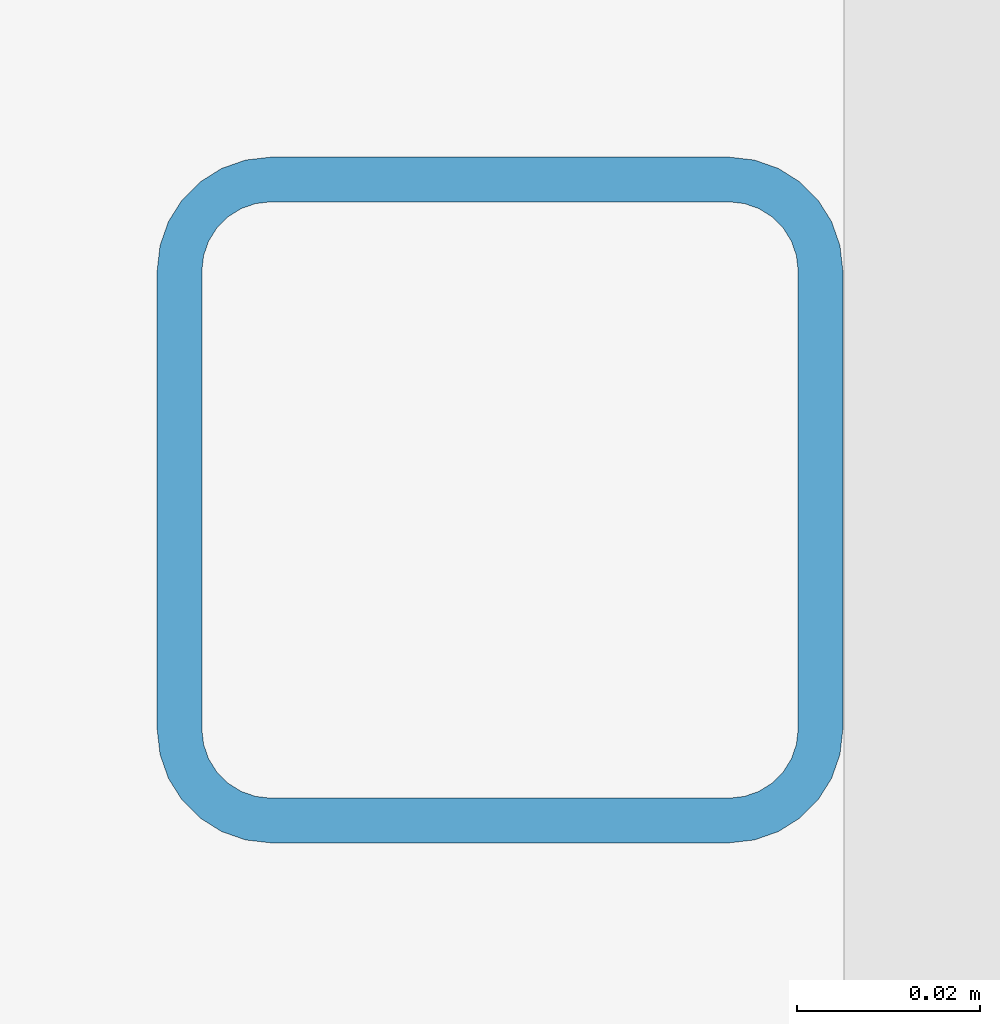
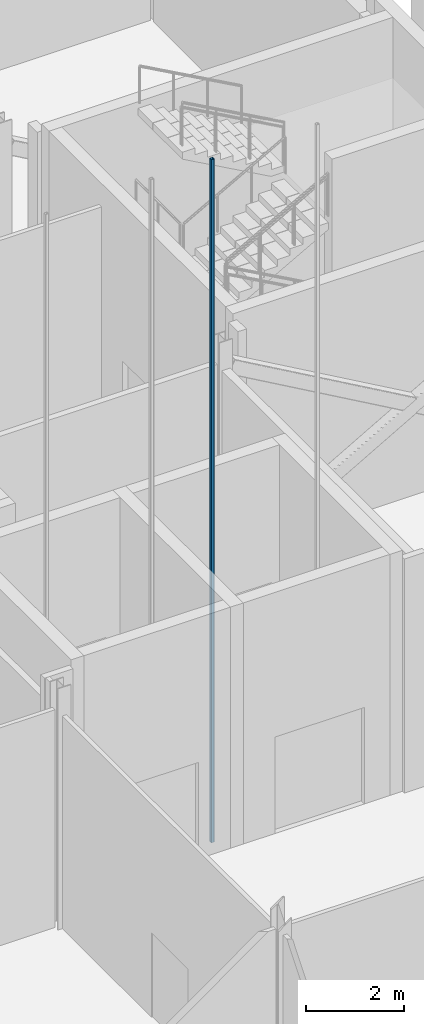
# One storey, part 44 of 139: 1 member.
"""IFC4 building model written with IfcOpenShell, lengths in metres."""

import ifcopenshell
import ifcopenshell.guid

model = None  # the IFC model being written
_history = None  # IfcOwnerHistory: only IFC2X3 demands one
_inside = {}  # id of a spatial element -> (the spatial element, [elements in it])
_under = {}  # id of a project, library or spatial element -> (it, [spatial elements below it])
_declared = {}  # id of a project -> (the project, [libraries it declares])
_typed = {}  # id of a type object -> (the type object, [elements of that type])
_made_of = {}  # id of a material, layer set ... -> (it, [elements and type objects made of it])


def new_model(schema):
    """Start an empty IFC model of exactly this schema.

    Asked for "IFC4X3", IfcOpenShell would pick the latest addendum, in which some entities
    have other attributes; the version numbers below select the first issue.
    IFC2X3 requires an IfcOwnerHistory on every rooted entity: one is made here for all.
    """
    global model, _history
    if schema == "IFC4X3":
        model = ifcopenshell.file(schema_version=(4, 3, 0, 0))
    else:
        model = ifcopenshell.file(schema=schema)
    _inside.clear()
    _under.clear()
    _declared.clear()
    _typed.clear()
    _made_of.clear()
    _history = None
    if model.schema == "IFC2X3":
        org = make("IfcOrganization", Name="unknown")
        user = make(
            "IfcPersonAndOrganization",
            ThePerson=make("IfcPerson", FamilyName="unknown"),
            TheOrganization=org,
        )
        app = make(
            "IfcApplication",
            ApplicationDeveloper=org,
            Version="unknown",
            ApplicationFullName="unknown",
            ApplicationIdentifier="unknown",
        )
        _history = make(
            "IfcOwnerHistory",
            OwningUser=user,
            OwningApplication=app,
            ChangeAction="ADDED",
            CreationDate=0,
        )
    return model


def make(cls, **values):
    """One entity of the class cls with the attributes given. An attribute that is None is left unset."""
    return model.create_entity(
        cls, **{name: value for name, value in values.items() if value is not None}
    )


def rooted(cls, **values):
    """An entity with a GlobalId (a new one), such as an element, a storey or a relation."""
    return make(cls, GlobalId=ifcopenshell.guid.new(), OwnerHistory=_history, **values)


def si_unit(unit_type, name, prefix=None):
    """IfcSIUnit, for example si_unit("LENGTHUNIT", "METRE", prefix="MILLI")."""
    return make("IfcSIUnit", UnitType=unit_type, Prefix=prefix, Name=name)


def assignment(units):
    """IfcUnitAssignment: the units of a project."""
    return None if units is None else make("IfcUnitAssignment", Units=units)


def point(xyz):
    """IfcCartesianPoint."""
    return None if xyz is None else make("IfcCartesianPoint", Coordinates=xyz)


def direction(xyz):
    """IfcDirection."""
    return None if xyz is None else make("IfcDirection", DirectionRatios=xyz)


def frame(location, z_axis=None, x_axis=None):
    """IfcAxis2Placement3D, a coordinate frame: its origin and axes. An axis left out is left unset."""
    return make(
        "IfcAxis2Placement3D",
        Location=point(location),
        Axis=direction(z_axis),
        RefDirection=direction(x_axis),
    )


def frame_2d(location, x_axis=None):
    """IfcAxis2Placement2D, a coordinate frame in the plane: its origin and x axis."""
    return make(
        "IfcAxis2Placement2D", Location=point(location), RefDirection=direction(x_axis)
    )


def origin():
    """The frame at (0, 0, 0) with its axes left unset."""
    return frame((0.0, 0.0, 0.0))


def origin_2d():
    """The frame at (0, 0) in the plane with its x axis left unset."""
    return frame_2d((0.0, 0.0))


def place(relative_to, where):
    """IfcLocalPlacement: puts the frame where relative to a parent placement (None: the world)."""
    return make(
        "IfcLocalPlacement", PlacementRelTo=relative_to, RelativePlacement=where
    )


def context(
    kind, dimensions, precision=None, world=None, true_north=None, identifier=None
):
    """IfcGeometricRepresentationContext, for example the 3D "Model" context."""
    return make(
        "IfcGeometricRepresentationContext",
        ContextIdentifier=identifier,
        ContextType=kind,
        CoordinateSpaceDimension=dimensions,
        Precision=precision,
        WorldCoordinateSystem=world,
        TrueNorth=true_north,
    )


def subcontext(parent, identifier, kind, view, scale=None):
    """IfcGeometricRepresentationSubContext, for example "Body" below "Model"."""
    return make(
        "IfcGeometricRepresentationSubContext",
        ContextIdentifier=identifier,
        ContextType=kind,
        ParentContext=parent,
        TargetScale=scale,
        TargetView=view,
    )


def project(units=None, contexts=None):
    """IfcProject with its units and contexts."""
    return rooted(
        "IfcProject",
        Name="project",
        RepresentationContexts=contexts,
        UnitsInContext=assignment(units),
    )


def spatial(cls, under=None, at=None, **own):
    """A site, building, storey or space (cls), placed at a placement, below another one or the project."""
    s = rooted(cls, ObjectPlacement=at, **own)
    if under is not None:
        _under.setdefault(under.id(), (under, []))[1].append(s)
    return s


def profile(cls, at=None, kind="AREA", **sizes):
    """A parametric profile (cls). Its sizes go by their IFC names, for example OverallWidth=200.0."""
    return make(cls, ProfileType=kind, Position=at, **sizes)


def hollow_rectangle(**sizes):
    """IfcRectangleHollowProfileDef."""
    return profile("IfcRectangleHollowProfileDef", **sizes)


def extrude(swept, where, along, depth):
    """IfcExtrudedAreaSolid: the profile swept, set in the frame where, extruded along a direction by depth."""
    return make(
        "IfcExtrudedAreaSolid",
        SweptArea=swept,
        Position=where,
        ExtrudedDirection=direction(along),
        Depth=depth,
    )


def shape(context_of_items, identifier, shape_type, items):
    """IfcShapeRepresentation: the items that make up one representation, for example the "Body"."""
    return make(
        "IfcShapeRepresentation",
        ContextOfItems=context_of_items,
        RepresentationIdentifier=identifier,
        RepresentationType=shape_type,
        Items=items,
    )


def material(Name=None, Category=None):
    """IfcMaterial."""
    return make("IfcMaterial", Name=Name, Category=Category)


def material_profile(
    of_material, cross_section, Name=None, Category=None, Priority=None
):
    """IfcMaterialProfile: a cross section and its material."""
    return make(
        "IfcMaterialProfile",
        Name=Name,
        Material=of_material,
        Profile=cross_section,
        Priority=Priority,
        Category=Category,
    )


def profile_set(profiles, Name=None, composite=None):
    """IfcMaterialProfileSet."""
    return make(
        "IfcMaterialProfileSet",
        Name=Name,
        MaterialProfiles=profiles,
        CompositeProfile=composite,
    )


def made_of(thing, what):
    """Note that an element or type object is made of a material, layer set ...; save() writes the relation."""
    if what is not None:
        _made_of.setdefault(what.id(), (what, []))[1].append(thing)
    return thing


def type_object(cls, material=None, **own):
    """A type object (cls), such as IfcWallType, which elements share."""
    return made_of(rooted(cls, **own), material)


def element(
    cls,
    number,
    at=None,
    inside=None,
    cuts=None,
    type_object=None,
    material=None,
    context=None,
    identifier="Body",
    shape_type=None,
    held_by="IfcProductDefinitionShape",
    body=None,
    shapes=None,
    **own,
):
    """One element of the class cls, such as IfcWall. Its Tag is "e" and its number.

    at: its placement. inside: the storey or other place that contains it. cuts: it is an
    opening in that element (IfcRelVoidsElement). A single representation is given by context,
    identifier, shape_type and body (its items); several are given by shapes. held_by: the class
    of the entity that holds the representations. save() writes the other relations.
    """
    e = rooted(cls, Tag="e%d" % number, ObjectPlacement=at, **own)
    if body is not None:
        shapes = [shape(context, identifier, shape_type, body)]
    if shapes is not None:
        e.Representation = make(held_by, Representations=shapes)
    if inside is not None:
        _inside.setdefault(inside.id(), (inside, []))[1].append(e)
    if cuts is not None:
        rooted(
            "IfcRelVoidsElement", RelatingBuildingElement=cuts, RelatedOpeningElement=e
        )
    if type_object is not None:
        _typed.setdefault(type_object.id(), (type_object, []))[1].append(e)
    return made_of(e, material)


def aggregate(whole, parts):
    """IfcRelAggregates: a whole, such as a stair, and the parts it consists of."""
    return rooted("IfcRelAggregates", RelatingObject=whole, RelatedObjects=parts)


def save(model, path):
    """Write the relations noted so far, then the file.

    IfcRelAggregates (storeys below a building ...), IfcRelContainedInSpatialStructure (elements
    in a storey), IfcRelDefinesByType, IfcRelAssociatesMaterial and IfcRelDeclares: one each for
    every whole, place, type object, material and project.
    """
    for whole, parts in _under.values():
        aggregate(whole, parts)
    for where, things in _inside.values():
        rooted(
            "IfcRelContainedInSpatialStructure",
            RelatedElements=things,
            RelatingStructure=where,
        )
    for kind, things in _typed.values():
        rooted("IfcRelDefinesByType", RelatedObjects=things, RelatingType=kind)
    for what, things in _made_of.values():
        rooted("IfcRelAssociatesMaterial", RelatedObjects=things, RelatingMaterial=what)
    for by, libraries in _declared.values():
        rooted("IfcRelDeclares", RelatingContext=by, RelatedDefinitions=libraries)
    model.write(path)


model = new_model("IFC4")

# Units and contexts
model_context = context("Model", 3, precision=1e-05, world=origin(), true_north=direction((0.0, 1.0)))
body_context = subcontext(model_context, "Body", "Model", "MODEL_VIEW")
ifc_project = project(units=[si_unit("LENGTHUNIT", "METRE"), si_unit("AREAUNIT", "SQUARE_METRE"), si_unit("VOLUMEUNIT", "CUBIC_METRE"), si_unit("PLANEANGLEUNIT", "RADIAN"), si_unit("MASSUNIT", "GRAM", prefix="KILO")], contexts=[model_context])

# Site, building, storey
site_placement = place(None, origin())
site = spatial("IfcSite", under=ifc_project, at=site_placement, CompositionType="ELEMENT")
building_placement = place(site_placement, origin())
building = spatial("IfcBuilding", under=site, at=building_placement, Name="Shorebreak Coast Museum", CompositionType="ELEMENT")
storey_placement = place(building_placement, origin())
storey = spatial("IfcBuildingStorey", under=building, at=storey_placement, Name="L00", CompositionType="ELEMENT", Elevation=0.0)

# Member
ifc_material = material(Name="Steel Grade C450L0", Category="steel")
ifc_material_profile = material_profile(ifc_material, hollow_rectangle(XDim=0.074951171875, YDim=0.074951171875, WallThickness=0.0048828125, InnerFilletRadius=0.007568359375, OuterFilletRadius=0.012451171875, at=origin_2d()), Name="75x75x5.0 SHS")
ifc_profile_set = profile_set([ifc_material_profile], Name="Steel Grade C450L0")
member_type = type_object("IfcMemberType", Name="Lift guide rail 75x75x5.0 SHS", PredefinedType="POST", material=ifc_profile_set)
member_placement = place(storey_placement, frame((104.21240234375, 20.85009765625, -1.5), z_axis=(0.0, 0.0, 1.0), x_axis=(1.0, 0.0, 0.0)))
element("IfcMember", 1, at=member_placement, inside=storey, type_object=member_type, Name="Goods Lift 2 guide rail", PredefinedType="POST", context=body_context, shape_type="SweptSolid", body=[
    extrude(hollow_rectangle(XDim=0.074951171875, YDim=0.074951171875, WallThickness=0.0048828125, InnerFilletRadius=0.007568359375, OuterFilletRadius=0.012451171875, at=origin_2d()), origin(), (0.0, 0.0, 1.0), 17.0),
])

save(model, "model.ifc")
